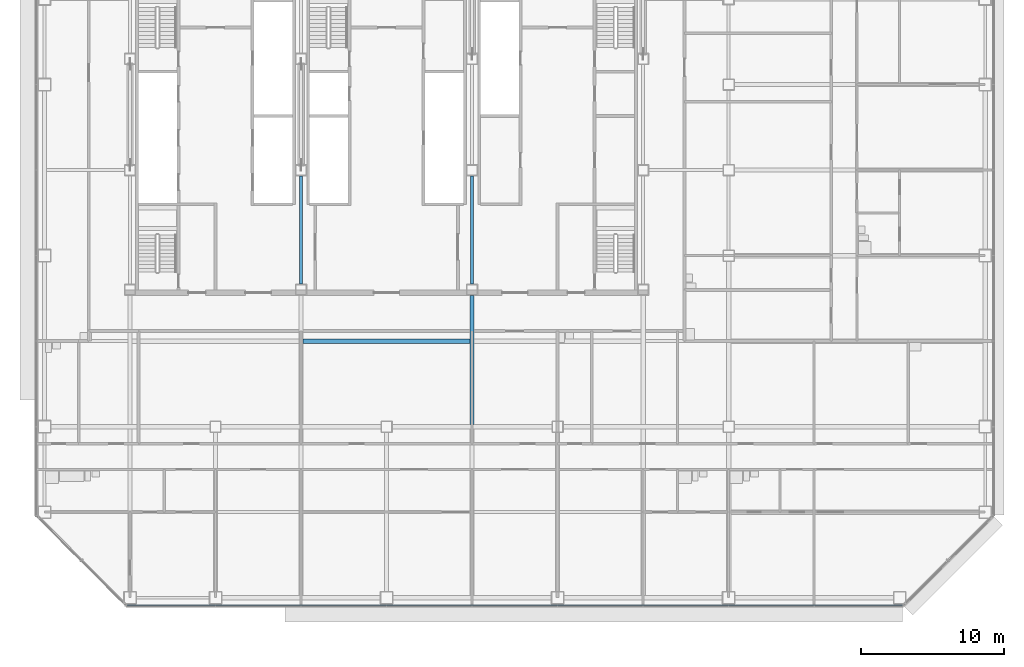
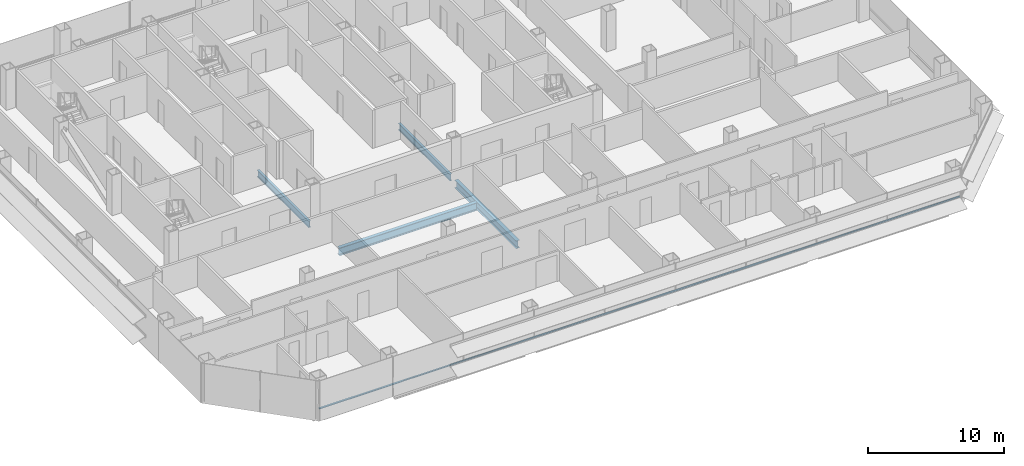
# One storey, part 7 of 27: 4 beams, 1 member, 1 element without a shape of its own.
"""IFC4 building model written with IfcOpenShell, lengths in metres."""

from ifc_helpers import new_model, si_unit, direction, frame, origin, origin_2d, place, context, subcontext, project, spatial, rectangle, i_section, extrude, material, material_profile, profile_set, type_object, element, aggregate, save


model = new_model("IFC4")

# Units and contexts
model_context = context("Model", 3, precision=1e-05, world=origin(), true_north=direction((0.0, 1.0)))
body_context = subcontext(model_context, "Body", "Model", "MODEL_VIEW")
ifc_project = project(units=[si_unit("LENGTHUNIT", "METRE"), si_unit("AREAUNIT", "SQUARE_METRE"), si_unit("VOLUMEUNIT", "CUBIC_METRE"), si_unit("PLANEANGLEUNIT", "RADIAN"), si_unit("MASSUNIT", "GRAM", prefix="KILO")], contexts=[model_context])

# Site, building, storey
site_placement = place(None, origin())
site = spatial("IfcSite", under=ifc_project, at=site_placement, CompositionType="ELEMENT")
building_placement = place(site_placement, origin())
building = spatial("IfcBuilding", under=site, at=building_placement, Name="Sorahane Residences", CompositionType="ELEMENT")
storey_placement = place(building_placement, frame((0.0, 0.0, 57.0)))
storey = spatial("IfcBuildingStorey", under=building, at=storey_placement, Name="L10", CompositionType="ELEMENT", Elevation=57.0)

# Curtain wall, member
ifc_material_1 = material(Name="Dark low-e glass and black anodised aluminium", Category="aluminium")
curtain_wall_type = type_object("IfcCurtainWallType", Name="Curtain wall CW-1 Typical unitised wall", PredefinedType="NOTDEFINED", material=ifc_material_1)
curtain_wall_placement = place(storey_placement, origin())
curtain_wall = element("IfcCurtainWall", 1, at=curtain_wall_placement, inside=storey, type_object=curtain_wall_type, Name="CW-1 curtain wall L10 S1", PredefinedType="NOTDEFINED")
ifc_material_2 = material(Name="Black anodised aluminium", Category="aluminium")
ifc_material_profile_1 = material_profile(ifc_material_2, rectangle(XDim=0.10009765625, YDim=0.06005859375, at=origin_2d()), Name="Curtain wall transom CW-1 black anodised aluminium 60x100")
ifc_profile_set_1 = profile_set([ifc_material_profile_1], Name="Black anodised aluminium")
member_type = type_object("IfcMemberType", Name="Curtain wall transom CW-1 black anodised aluminium 60x100", PredefinedType="USERDEFINED", material=ifc_profile_set_1)
member_placement = place(storey_placement, frame((5.801513671875, -0.530029296875, 0.89990234375), z_axis=(1.0, 0.0, 0.0), x_axis=(0.0, 1.0, 0.0)))
member = element("IfcMember", 2, at=member_placement, type_object=member_type, Name="CW-1 transom L10 S1", ObjectType="TRANSOM", PredefinedType="USERDEFINED", context=body_context, shape_type="SweptSolid", body=[
    extrude(rectangle(XDim=0.10009765625, YDim=0.06005859375, at=origin_2d()), origin(), (0.0, 0.0, 1.0), 54.39697265625),
])
aggregate(curtain_wall, [member])

# Beams
ifc_material_3 = material(Name="Steel Q355B", Category="steel")
ifc_material_profile_2 = material_profile(ifc_material_3, i_section(OverallWidth=0.199951171875, OverallDepth=0.60009765625, WebThickness=0.010986328125, FlangeThickness=0.01708984375, FilletRadius=0.02392578125, at=origin_2d()), Name="HN 600x200x11x17")
ifc_profile_set_2 = profile_set([ifc_material_profile_2], Name="Steel Q355B")
beam_type_1 = type_object("IfcBeamType", Name="Steel floor beam HN 600x200x11x17 Q355B", PredefinedType="BEAM", material=ifc_profile_set_2)
for number, where, z_axis, x_axis, name in (
    (3, (18.0, 22.0, -0.47998046875), (0.0, 1.0, 0.0), (-1.0, 0.0, 0.0), "Beam L10 031"),
    (4, (30.0, 22.0, -0.47998046875), (0.0, 1.0, 0.0), (-1.0, 0.0, 0.0), "Beam L10 039"),
):
    element("IfcBeam", number, at=place(storey_placement, frame(where, z_axis=z_axis, x_axis=x_axis)), inside=storey, type_object=beam_type_1, Name=name, PredefinedType="BEAM", context=body_context, shape_type="SweptSolid", body=[
        extrude(i_section(OverallWidth=0.199951171875, OverallDepth=0.60009765625, WebThickness=0.010986328125, FlangeThickness=0.01708984375, FilletRadius=0.02392578125, at=origin_2d()), origin(), (0.0, 0.0, 1.0), 7.60009765625),
    ])
ifc_material_4 = material(Name="Steel Q355B", Category="steel")
ifc_material_profile_3 = material_profile(ifc_material_4, i_section(OverallWidth=0.300048828125, OverallDepth=0.699951171875, WebThickness=0.012939453125, FlangeThickness=0.02392578125, FilletRadius=0.028076171875, at=origin_2d()), Name="HN 700x300x13x24")
ifc_profile_set_3 = profile_set([ifc_material_profile_3], Name="Steel Q355B")
beam_type_2 = type_object("IfcBeamType", Name="Steel floor beam HN 700x300x13x24 Q355B", PredefinedType="BEAM", material=ifc_profile_set_3)
beam_1_placement = place(storey_placement, frame((30.0, 12.14990234375, -0.530029296875), z_axis=(0.0, 1.0, 0.0), x_axis=(-1.0, 0.0, 0.0)))
element("IfcBeam", 5, at=beam_1_placement, inside=storey, type_object=beam_type_2, Name="Beam L10 038", PredefinedType="BEAM", context=body_context, shape_type="SweptSolid", body=[
    extrude(i_section(OverallWidth=0.300048828125, OverallDepth=0.699951171875, WebThickness=0.012939453125, FlangeThickness=0.02392578125, FilletRadius=0.028076171875, at=origin_2d()), origin(), (0.0, 0.0, 1.0), 9.050048828125),
])
beam_2_placement = place(storey_placement, frame((18.14990234375, 18.0, -0.530029296875), z_axis=(1.0, 0.0, 0.0), x_axis=(0.0, 1.0, 0.0)))
element("IfcBeam", 6, at=beam_2_placement, inside=storey, type_object=beam_type_2, Name="Beam L10 072", PredefinedType="BEAM", context=body_context, shape_type="SweptSolid", body=[
    extrude(i_section(OverallWidth=0.300048828125, OverallDepth=0.699951171875, WebThickness=0.012939453125, FlangeThickness=0.02392578125, FilletRadius=0.028076171875, at=origin_2d()), origin(), (0.0, 0.0, 1.0), 11.7001953125),
])

save(model, "model.ifc")
